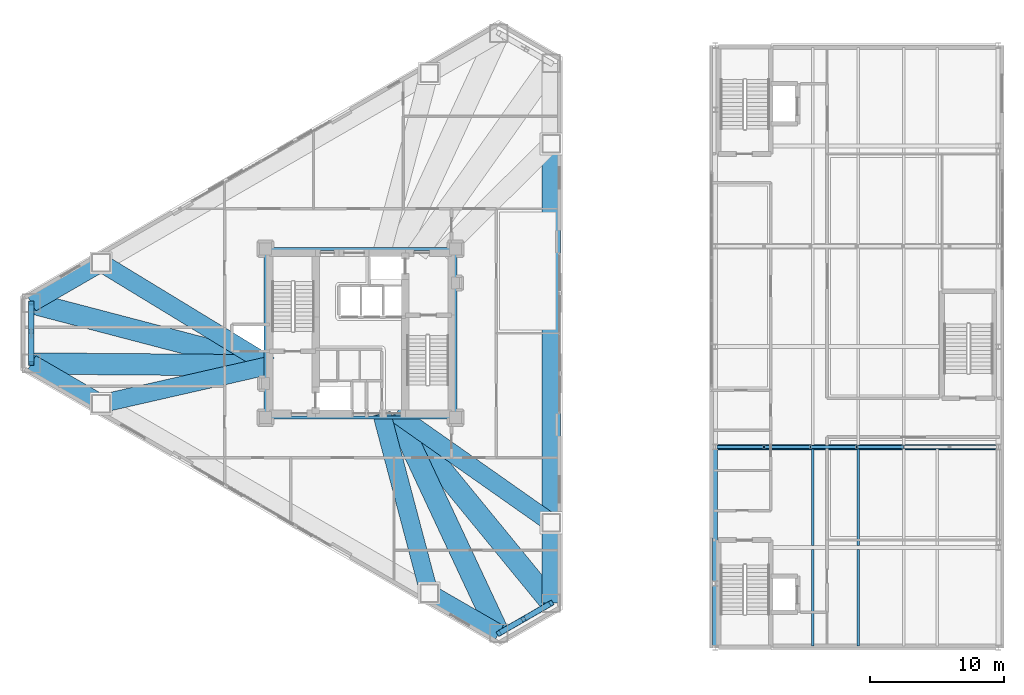
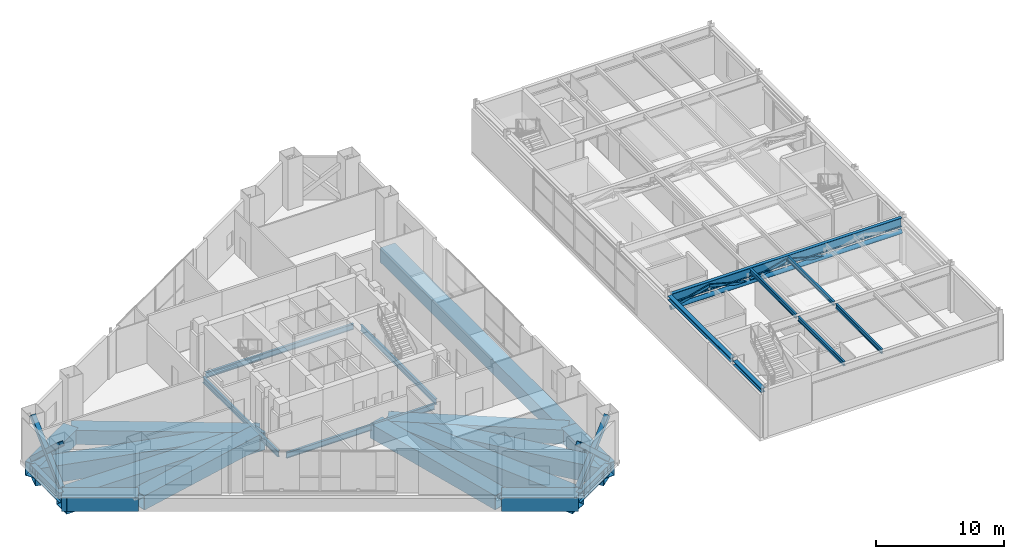
# One storey, part 6 of 29: 26 beams, 11 members.
"""IFC4 building model written with IfcOpenShell, lengths in metres."""

from ifc_helpers import new_model, si_unit, direction, frame, origin, origin_2d, place, context, subcontext, project, spatial, hollow_rectangle, hollow_circle, i_section, extrude, material, material_profile, profile_set, type_object, element, save


model = new_model("IFC4")

# Units and contexts
model_context = context("Model", 3, precision=1e-05, world=origin(), true_north=direction((0.0, 1.0)))
body_context = subcontext(model_context, "Body", "Model", "MODEL_VIEW")
ifc_project = project(units=[si_unit("LENGTHUNIT", "METRE"), si_unit("AREAUNIT", "SQUARE_METRE"), si_unit("VOLUMEUNIT", "CUBIC_METRE"), si_unit("PLANEANGLEUNIT", "RADIAN"), si_unit("MASSUNIT", "GRAM", prefix="KILO")], contexts=[model_context])

# Site, building, storey
site_placement = place(None, origin())
site = spatial("IfcSite", under=ifc_project, at=site_placement, CompositionType="ELEMENT")
building_placement = place(site_placement, origin())
building = spatial("IfcBuilding", under=site, at=building_placement, Name="Mersakhor Tower and Convention Hall", CompositionType="ELEMENT")
storey_placement = place(building_placement, frame((0.0, 0.0, 9.60009765625)))
storey = spatial("IfcBuildingStorey", under=building, at=storey_placement, Name="L02", CompositionType="ELEMENT", Elevation=9.60009765625)

# Beams
ifc_material_1 = material(Name="Steel S355", Category="steel")
ifc_material_profile_1 = material_profile(ifc_material_1, i_section(OverallWidth=0.2099609375, OverallDepth=0.53662109375, WebThickness=0.0107421875, FlangeThickness=0.017333984375, at=origin_2d()), Name="UB 533x210x101")
ifc_profile_set_1 = profile_set([ifc_material_profile_1], Name="Steel S355")
beam_type_1 = type_object("IfcBeamType", Name="BM-FB-533", PredefinedType="BEAM", material=ifc_profile_set_1)
beam_1_placement = place(storey_placement, frame((21.89990234375, 20.8798828125, -0.58837890625), z_axis=(0.0, 1.0, 0.0), x_axis=(-1.0, 0.0, 0.0)))
element("IfcBeam", 1, at=beam_1_placement, inside=storey, type_object=beam_type_1, Name="L02 Core Ring Tie Beam CRB-1", PredefinedType="BEAM", context=body_context, shape_type="SweptSolid", body=[
    extrude(i_section(OverallWidth=0.2099609375, OverallDepth=0.53662109375, WebThickness=0.0107421875, FlangeThickness=0.017333984375, at=origin_2d()), origin(), (0.0, 0.0, 1.0), 11.740234375),
])
beam_2_placement = place(storey_placement, frame((22.330078125, 33.050048828125, -0.58837890625), z_axis=(1.0, 0.0, 0.0), x_axis=(0.0, 1.0, 0.0)))
element("IfcBeam", 2, at=beam_2_placement, inside=storey, type_object=beam_type_1, Name="L02 Core Ring Tie Beam CRB-2", PredefinedType="BEAM", context=body_context, shape_type="SweptSolid", body=[
    extrude(i_section(OverallWidth=0.2099609375, OverallDepth=0.53662109375, WebThickness=0.0107421875, FlangeThickness=0.017333984375, at=origin_2d()), origin(), (0.0, 0.0, 1.0), 13.33984375),
])
beam_3_placement = place(storey_placement, frame((36.10009765625, 32.6201171875, -0.58837890625), z_axis=(0.0, -1.0, 0.0), x_axis=(1.0, 0.0, 0.0)))
element("IfcBeam", 3, at=beam_3_placement, inside=storey, type_object=beam_type_1, Name="L02 Core Ring Tie Beam CRB-3", PredefinedType="BEAM", context=body_context, shape_type="SweptSolid", body=[
    extrude(i_section(OverallWidth=0.2099609375, OverallDepth=0.53662109375, WebThickness=0.0107421875, FlangeThickness=0.017333984375, at=origin_2d()), origin(), (0.0, 0.0, 1.0), 11.740234375),
])
beam_4_placement = place(storey_placement, frame((35.669921875, 20.449951171875, -0.58837890625), z_axis=(-1.0, 0.0, 0.0), x_axis=(0.0, -1.0, 0.0)))
element("IfcBeam", 4, at=beam_4_placement, inside=storey, type_object=beam_type_1, Name="L02 Core Ring Tie Beam CRB-4", PredefinedType="BEAM", context=body_context, shape_type="SweptSolid", body=[
    extrude(i_section(OverallWidth=0.2099609375, OverallDepth=0.53662109375, WebThickness=0.0107421875, FlangeThickness=0.017333984375, at=origin_2d()), origin(), (0.0, 0.0, 1.0), 13.33984375),
])
ifc_material_2 = material(Name="Steel S355", Category="steel")
ifc_material_profile_2 = material_profile(ifc_material_2, i_section(OverallWidth=0.1787109375, OverallDepth=0.409423828125, WebThickness=0.0087890625, FlangeThickness=0.014404296875, at=origin_2d()), Name="UB 406x178x67")
ifc_profile_set_2 = profile_set([ifc_material_profile_2], Name="Steel S355")
beam_type_2 = type_object("IfcBeamType", Name="BM-JST-406", PredefinedType="JOIST", material=ifc_profile_set_2)
for number, where, z_axis, x_axis, name in (
    (5, (62.800048828125, 3.39697265625, 4.275146484375), (0.0, 1.0, 0.0), (-1.0, 0.0, 0.0), "Convention L02 Composite Floor Joist CJ-1-62"),
    (6, (66.199951171875, 3.39697265625, 4.275146484375), (0.0, 1.0, 0.0), (-1.0, 0.0, 0.0), "Convention L02 Composite Floor Joist CJ-1-66"),
    (7, (62.800048828125, 10.89697265625, 4.275146484375), (0.0, 1.0, 0.0), (-1.0, 0.0, 0.0), "Convention L02 Composite Floor Joist CJ-2-62"),
    (8, (66.199951171875, 10.89697265625, 4.275146484375), (0.0, 1.0, 0.0), (-1.0, 0.0, 0.0), "Convention L02 Composite Floor Joist CJ-2-66"),
):
    element("IfcBeam", number, at=place(storey_placement, frame(where, z_axis=z_axis, x_axis=x_axis)), inside=storey, type_object=beam_type_2, Name=name, PredefinedType="JOIST", context=body_context, shape_type="SweptSolid", body=[
        extrude(i_section(OverallWidth=0.1787109375, OverallDepth=0.409423828125, WebThickness=0.0087890625, FlangeThickness=0.014404296875, at=origin_2d()), origin(), (0.0, 0.0, 1.0), 7.2060546875),
    ])
ifc_material_3 = material(Name="Steel S355", Category="steel")
ifc_material_profile_3 = material_profile(ifc_material_3, i_section(OverallWidth=0.293701171875, OverallDepth=0.850830078125, WebThickness=0.01611328125, FlangeThickness=0.02685546875, at=origin_2d()), Name="UB 838x292x226")
ifc_profile_set_3 = profile_set([ifc_material_profile_3], Name="Steel S355")
beam_type_3 = type_object("IfcBeamType", Name="BM-PR-838", PredefinedType="BEAM", material=ifc_profile_set_3)
beam_5_placement = place(storey_placement, frame((55.679931640625, 18.25, 4.054443359375), z_axis=(1.0, 0.0, 0.0), x_axis=(0.0, 1.0, 0.0)))
element("IfcBeam", 9, at=beam_5_placement, inside=storey, type_object=beam_type_3, Name="Convention L02 Clear-Span Girder CG-3", PredefinedType="BEAM", context=body_context, shape_type="SweptSolid", body=[
    extrude(i_section(OverallWidth=0.293701171875, OverallDepth=0.850830078125, WebThickness=0.01611328125, FlangeThickness=0.02685546875, at=origin_2d()), origin(), (0.0, 0.0, 1.0), 20.7900390625),
])
ifc_material_4 = material(Name="Steel S355", Category="steel")
ifc_material_profile_4 = material_profile(ifc_material_4, i_section(OverallWidth=0.374755859375, OverallDepth=0.37451171875, WebThickness=0.0166015625, FlangeThickness=0.027099609375, at=origin_2d()), Name="UC 356x368x202")
ifc_profile_set_4 = profile_set([ifc_material_profile_4], Name="Steel S355")
beam_type_4 = type_object("IfcBeamType", Name="BM-SPD-UC356", PredefinedType="SPANDREL", material=ifc_profile_set_4)
beam_6_placement = place(storey_placement, frame((55.5, 3.429931640625, 4.29296875), z_axis=(0.0, 1.0, 0.0), x_axis=(-1.0, 0.0, 0.0)))
element("IfcBeam", 10, at=beam_6_placement, inside=storey, type_object=beam_type_4, Name="Convention L02 Edge Spandrel W1", PredefinedType="SPANDREL", context=body_context, shape_type="SweptSolid", body=[
    extrude(i_section(OverallWidth=0.374755859375, OverallDepth=0.37451171875, WebThickness=0.0166015625, FlangeThickness=0.027099609375, at=origin_2d()), origin(), (0.0, 0.0, 1.0), 4.440185546875),
])
beam_7_placement = place(storey_placement, frame((55.5, 8.22998046875, 4.29296875), z_axis=(0.0, 1.0, 0.0), x_axis=(-1.0, 0.0, 0.0)))
element("IfcBeam", 11, at=beam_7_placement, inside=storey, type_object=beam_type_4, Name="Convention L02 Edge Spandrel W2", PredefinedType="SPANDREL", context=body_context, shape_type="SweptSolid", body=[
    extrude(i_section(OverallWidth=0.374755859375, OverallDepth=0.37451171875, WebThickness=0.0166015625, FlangeThickness=0.027099609375, at=origin_2d()), origin(), (0.0, 0.0, 1.0), 9.840087890625),
])
ifc_material_5 = material(Name="Steel S460", Category="steel")
ifc_material_profile_5 = material_profile(ifc_material_5, i_section(OverallWidth=0.42041015625, OverallDepth=0.9208984375, WebThickness=0.021484375, FlangeThickness=0.03662109375, at=origin_2d()), Name="UB 914x419x388")
ifc_profile_set_5 = profile_set([ifc_material_profile_5], Name="Steel S460")
beam_type_5 = type_object("IfcBeamType", Name="BM-TR-914H", PredefinedType="BEAM", material=ifc_profile_set_5)
for number, where, z_axis, x_axis, name in (
    (12, (43.25, 6.586669921875, -0.780029296875), (-0.86602002524, -0.500009315796, 0.0), (0.500009315796, -0.86602002524, 0.0), "L02 Chamfer Transfer Girder CH-2"),
    (13, (4.4130859375, 24.49072265625, -0.780029296875), (0.0, 1.0, 0.0), (-1.0, 0.0, 0.0), "L02 Chamfer Transfer Girder CH-3"),
):
    element("IfcBeam", number, at=place(storey_placement, frame(where, z_axis=z_axis, x_axis=x_axis)), inside=storey, type_object=beam_type_5, Name=name, PredefinedType="BEAM", context=body_context, shape_type="SweptSolid", body=[
        extrude(i_section(OverallWidth=0.42041015625, OverallDepth=0.9208984375, WebThickness=0.021484375, FlangeThickness=0.03662109375, at=origin_2d()), origin(), (0.0, 0.0, 1.0), 4.5185546875),
    ])
ifc_material_6 = material(Name="Steel S460", Category="steel")
ifc_material_profile_6 = material_profile(ifc_material_6, hollow_rectangle(XDim=1.35009765625, YDim=1.35009765625, WallThickness=0.035888671875, at=origin_2d()), Name="SHS 1350x1350x36")
ifc_profile_set_6 = profile_set([ifc_material_profile_6], Name="Steel S460")
beam_type_6 = type_object("IfcBeamType", Name="BM-TR-BOX1350", PredefinedType="BEAM", material=ifc_profile_set_6)
beam_8_placement = place(storey_placement, frame((4.4130859375, 29.00927734375, -0.9951171875), z_axis=(0.866019133895, 0.500010859609, 0.0), x_axis=(-0.500010859609, 0.866019133895, 0.0)))
element("IfcBeam", 14, at=beam_8_placement, inside=storey, type_object=beam_type_6, Name="L02 Podium Cantilever Transfer Girder TB-F1-1", PredefinedType="BEAM", context=body_context, shape_type="SweptSolid", body=[
    extrude(hollow_rectangle(XDim=1.35009765625, YDim=1.35009765625, WallThickness=0.035888671875, at=origin_2d()), origin(), (0.0, 0.0, 1.0), 6.008544921875),
])
beam_9_placement = place(storey_placement, frame((22.199951171875, 24.35009765625, -0.9951171875), z_axis=(-0.854071815616, 0.520155105493, 0.0), x_axis=(-0.520155105493, -0.854071815616, 0.0)))
element("IfcBeam", 15, at=beam_9_placement, inside=storey, type_object=beam_type_6, Name="L02 Core-to-Perimeter Transfer Girder CTR-F1-N1", PredefinedType="BEAM", context=body_context, shape_type="SweptSolid", body=[
    extrude(hollow_rectangle(XDim=1.35009765625, YDim=1.35009765625, WallThickness=0.035888671875, at=origin_2d()), origin(), (0.0, 0.0, 1.0), 14.733154296875),
])
beam_10_placement = place(storey_placement, frame((43.25, 40.904541015625, -0.9951171875), z_axis=(0.0, -1.0, 0.0), x_axis=(1.0, 0.0, 0.0)))
element("IfcBeam", 16, at=beam_10_placement, inside=storey, type_object=beam_type_6, Name="L02 Podium Back-Span Transfer Box Girder TB-F2-2", PredefinedType="BEAM", context=body_context, shape_type="SweptSolid", body=[
    extrude(hollow_rectangle(XDim=1.35009765625, YDim=1.35009765625, WallThickness=0.035888671875, at=origin_2d()), origin(), (0.0, 0.0, 1.0), 28.30908203125),
])
beam_11_placement = place(storey_placement, frame((43.25, 12.595458984375, -0.9951171875), z_axis=(0.0, -1.0, 0.0), x_axis=(1.0, 0.0, 0.0)))
element("IfcBeam", 17, at=beam_11_placement, inside=storey, type_object=beam_type_6, Name="L02 Podium Cantilever Transfer Girder TB-F2-3", PredefinedType="BEAM", context=body_context, shape_type="SweptSolid", body=[
    extrude(hollow_rectangle(XDim=1.35009765625, YDim=1.35009765625, WallThickness=0.035888671875, at=origin_2d()), origin(), (0.0, 0.0, 1.0), 6.0087890625),
])
beam_12_placement = place(storey_placement, frame((31.64990234375, 20.75, -0.9951171875), z_axis=(0.818088140846, -0.575092856682, 0.0), x_axis=(0.575092856682, 0.818088140846, 0.0)))
element("IfcBeam", 18, at=beam_12_placement, inside=storey, type_object=beam_type_6, Name="L02 Core-to-Perimeter Transfer Girder CTR-F2-N2", PredefinedType="BEAM", context=body_context, shape_type="SweptSolid", body=[
    extrude(hollow_rectangle(XDim=1.35009765625, YDim=1.35009765625, WallThickness=0.035888671875, at=origin_2d()), origin(), (0.0, 0.0, 1.0), 14.179443359375),
])
for number, where, z_axis, x_axis, name in (
    (19, (39.3369140625, 4.327392578125, -0.9951171875), (-0.866019133895, 0.500010859609, 0.0), (-0.500010859609, -0.866019133895, 0.0), "L02 Podium Cantilever Transfer Girder TB-F3-1"),
    (20, (9.61669921875, 21.486328125, -0.9951171875), (-0.866019133895, 0.500010859609, 0.0), (-0.500010859609, -0.866019133895, 0.0), "L02 Podium Cantilever Transfer Girder TB-F3-3"),
):
    element("IfcBeam", number, at=place(storey_placement, frame(where, z_axis=z_axis, x_axis=x_axis)), inside=storey, type_object=beam_type_6, Name=name, PredefinedType="BEAM", context=body_context, shape_type="SweptSolid", body=[
        extrude(hollow_rectangle(XDim=1.35009765625, YDim=1.35009765625, WallThickness=0.035888671875, at=origin_2d()), origin(), (0.0, 0.0, 1.0), 6.008544921875),
    ])
beam_13_placement = place(storey_placement, frame((30.586181640625, 20.75, -0.9951171875), z_axis=(0.255571992926, -0.966790027065, 0.0), x_axis=(0.966790027065, 0.255571992926, 0.0)))
element("IfcBeam", 21, at=beam_13_placement, inside=storey, type_object=beam_type_6, Name="L02 Core-to-Perimeter Transfer Girder CTR-F3-N1", PredefinedType="BEAM", context=body_context, shape_type="SweptSolid", body=[
    extrude(hollow_rectangle(XDim=1.35009765625, YDim=1.35009765625, WallThickness=0.035888671875, at=origin_2d()), origin(), (0.0, 0.0, 1.0), 13.879150390625),
])
beam_14_placement = place(storey_placement, frame((22.199951171875, 24.35009765625, -0.9951171875), z_axis=(-0.975066840211, -0.221911372222, 0.0), x_axis=(0.221911372222, -0.975066840211, 0.0)))
element("IfcBeam", 22, at=beam_14_placement, inside=storey, type_object=beam_type_6, Name="L02 Core-to-Perimeter Transfer Girder CTR-F3-N2", PredefinedType="BEAM", context=body_context, shape_type="SweptSolid", body=[
    extrude(hollow_rectangle(XDim=1.35009765625, YDim=1.35009765625, WallThickness=0.035888671875, at=origin_2d()), origin(), (0.0, 0.0, 1.0), 12.905029296875),
])
ifc_material_7 = material(Name="Steel S460", Category="steel")
ifc_material_profile_7 = material_profile(ifc_material_7, hollow_rectangle(XDim=1.60009765625, YDim=1.60009765625, WallThickness=0.0400390625, at=origin_2d()), Name="SHS 1600x1600x40")
ifc_profile_set_7 = profile_set([ifc_material_profile_7], Name="Steel S460")
beam_type_7 = type_object("IfcBeamType", Name="BM-TR-BOX1600", PredefinedType="BEAM", material=ifc_profile_set_7)
beam_15_placement = place(storey_placement, frame((22.199951171875, 24.35009765625, -1.1201171875), z_axis=(-0.96736269218, 0.253395780901, 0.0), x_axis=(-0.253395780901, -0.96736269218, 0.0)))
element("IfcBeam", 23, at=beam_15_placement, inside=storey, type_object=beam_type_7, Name="L02 Core-to-Perimeter Transfer Girder CTR-F1-N0", PredefinedType="BEAM", context=body_context, shape_type="SweptSolid", body=[
    extrude(hollow_rectangle(XDim=1.60009765625, YDim=1.60009765625, WallThickness=0.0400390625, at=origin_2d()), origin(), (0.0, 0.0, 1.0), 18.386962890625),
])
beam_16_placement = place(storey_placement, frame((31.64990234375, 20.75, -1.1201171875), z_axis=(0.633627677135, -0.773638136837, 0.0), x_axis=(0.773638136837, 0.633627677135, 0.0)))
element("IfcBeam", 24, at=beam_16_placement, inside=storey, type_object=beam_type_7, Name="L02 Core-to-Perimeter Transfer Girder CTR-F2-N3", PredefinedType="BEAM", context=body_context, shape_type="SweptSolid", body=[
    extrude(hollow_rectangle(XDim=1.60009765625, YDim=1.60009765625, WallThickness=0.0400390625, at=origin_2d()), origin(), (0.0, 0.0, 1.0), 18.307373046875),
])
beam_17_placement = place(storey_placement, frame((31.64990234375, 20.75, -1.1201171875), z_axis=(0.423932586502, -0.905693746308, 0.0), x_axis=(0.905693746308, 0.423932586502, 0.0)))
element("IfcBeam", 25, at=beam_17_placement, inside=storey, type_object=beam_type_7, Name="L02 Core-to-Perimeter Transfer Girder CTR-F3-N0", PredefinedType="BEAM", context=body_context, shape_type="SweptSolid", body=[
    extrude(hollow_rectangle(XDim=1.60009765625, YDim=1.60009765625, WallThickness=0.0400390625, at=origin_2d()), origin(), (0.0, 0.0, 1.0), 18.132568359375),
])
beam_18_placement = place(storey_placement, frame((22.199951171875, 24.35009765625, -1.1201171875), z_axis=(-0.999968748139, 0.007905867805, 0.0), x_axis=(-0.007905867805, -0.999968748139, 0.0)))
element("IfcBeam", 26, at=beam_18_placement, inside=storey, type_object=beam_type_7, Name="L02 Core-to-Perimeter Transfer Girder CTR-F3-N3", PredefinedType="BEAM", context=body_context, shape_type="SweptSolid", body=[
    extrude(hollow_rectangle(XDim=1.60009765625, YDim=1.60009765625, WallThickness=0.0400390625, at=origin_2d()), origin(), (0.0, 0.0, 1.0), 17.787353515625),
])

# Members
ifc_material_8 = material(Name="Steel S355", Category="steel")
ifc_material_profile_8 = material_profile(ifc_material_8, hollow_rectangle(XDim=0.25, YDim=0.25, WallThickness=0.01611328125, at=origin_2d()), Name="SHS 250x250x16")
ifc_profile_set_8 = profile_set([ifc_material_profile_8], Name="Steel S355")
member_type_1 = type_object("IfcMemberType", Name="MB-BRC-SHS250", PredefinedType="BRACE", material=ifc_profile_set_8)
for number, where, z_axis, x_axis, name in (
    (27, (55.679931640625, 18.25, 3.1298828125), (0.966197643238, 0.0, 0.257802471285), (0.0, 1.0, 0.0), "Convention L02 Truss Web Diagonal TD-3-1"),
    (28, (59.14501953125, 18.25, 4.054443359375), (0.966197643238, 0.0, -0.257802471285), (0.0, 1.0, 0.0), "Convention L02 Truss Web Diagonal TD-3-2"),
):
    element("IfcMember", number, at=place(storey_placement, frame(where, z_axis=z_axis, x_axis=x_axis)), inside=storey, type_object=member_type_1, Name=name, PredefinedType="BRACE", context=body_context, shape_type="SweptSolid", body=[
        extrude(hollow_rectangle(XDim=0.25, YDim=0.25, WallThickness=0.01611328125, at=origin_2d()), origin(), (0.0, 0.0, 1.0), 3.58642578125),
    ])
member_1_placement = place(storey_placement, frame((62.610107421875, 18.25, 3.1298828125), z_axis=(0.966193118341, 0.0, 0.257819429196), x_axis=(0.0, 1.0, 0.0)))
element("IfcMember", 29, at=member_1_placement, inside=storey, type_object=member_type_1, Name="Convention L02 Truss Web Diagonal TD-3-3", PredefinedType="BRACE", context=body_context, shape_type="SweptSolid", body=[
    extrude(hollow_rectangle(XDim=0.25, YDim=0.25, WallThickness=0.01611328125, at=origin_2d()), origin(), (0.0, 0.0, 1.0), 3.586181640625),
])
member_2_placement = place(storey_placement, frame((66.074951171875, 18.25, 4.054443359375), z_axis=(0.966197643238, 0.0, -0.257802471285), x_axis=(0.0, 1.0, 0.0)))
element("IfcMember", 30, at=member_2_placement, inside=storey, type_object=member_type_1, Name="Convention L02 Truss Web Diagonal TD-3-4", PredefinedType="BRACE", context=body_context, shape_type="SweptSolid", body=[
    extrude(hollow_rectangle(XDim=0.25, YDim=0.25, WallThickness=0.01611328125, at=origin_2d()), origin(), (0.0, 0.0, 1.0), 3.58642578125),
])
ifc_material_9 = material(Name="Steel S460", Category="steel")
ifc_material_profile_9 = material_profile(ifc_material_9, hollow_rectangle(XDim=0.39990234375, YDim=0.39990234375, WallThickness=0.02490234375, at=origin_2d()), Name="SHS 400x400x25")
ifc_profile_set_9 = profile_set([ifc_material_profile_9], Name="Steel S460")
member_type_2 = type_object("IfcMemberType", Name="MB-BRC-SHS400", PredefinedType="BRACE", material=ifc_profile_set_9)
member_3_placement = place(storey_placement, frame((43.25, 6.586669921875, 0.14990234375), z_axis=(-0.635720518474, -0.367042530444, 0.679072310756), x_axis=(0.500009315796, -0.86602002524, 0.0)))
element("IfcMember", 31, at=member_3_placement, inside=storey, type_object=member_type_2, Name="L02 Chamfer Braced Frame Diagonal CB-2A", PredefinedType="BRACE", context=body_context, shape_type="SweptSolid", body=[
    extrude(hollow_rectangle(XDim=0.39990234375, YDim=0.39990234375, WallThickness=0.02490234375, at=origin_2d()), origin(), (0.0, 0.0, 1.0), 6.1552734375),
])
for number, where, z_axis, x_axis, name in (
    (32, (39.3369140625, 4.327392578125, 0.14990234375), (0.635727717529, 0.367089997781, 0.679039912446), (-0.500053563446, 0.865994476706, 0.0), "L02 Chamfer Braced Frame Diagonal CB-2B Lower Half"),
    (33, (41.426025390625, 5.53369140625, 2.381591796875), (0.635747574185, 0.367016368286, 0.679061121938), (-0.499966626499, 0.866044671127, 0.0), "L02 Chamfer Braced Frame Diagonal CB-2B Upper Half"),
):
    element("IfcMember", number, at=place(storey_placement, frame(where, z_axis=z_axis, x_axis=x_axis)), inside=storey, type_object=member_type_2, Name=name, PredefinedType="BRACE", context=body_context, shape_type="SweptSolid", body=[
        extrude(hollow_rectangle(XDim=0.39990234375, YDim=0.39990234375, WallThickness=0.02490234375, at=origin_2d()), origin(), (0.0, 0.0, 1.0), 2.869140625),
    ])
member_4_placement = place(storey_placement, frame((4.4130859375, 24.49072265625, 0.14990234375), z_axis=(0.0, 0.734077690839, 0.679065493022), x_axis=(-1.0, 0.0, 0.0)))
element("IfcMember", 34, at=member_4_placement, inside=storey, type_object=member_type_2, Name="L02 Chamfer Braced Frame Diagonal CB-3A", PredefinedType="BRACE", context=body_context, shape_type="SweptSolid", body=[
    extrude(hollow_rectangle(XDim=0.39990234375, YDim=0.39990234375, WallThickness=0.02490234375, at=origin_2d()), origin(), (0.0, 0.0, 1.0), 6.155517578125),
])
for number, where, z_axis, x_axis, name in (
    (35, (4.4130859375, 29.00927734375, 0.14990234375), (0.0, -0.734098379146, 0.679043128038), (1.0, 0.0, 0.0), "L02 Chamfer Braced Frame Diagonal CB-3B Lower Half"),
    (36, (4.4130859375, 26.596923828125, 2.381591796875), (0.0, -0.734098379146, 0.679043128038), (1.0, 0.0, 0.0), "L02 Chamfer Braced Frame Diagonal CB-3B Upper Half"),
):
    element("IfcMember", number, at=place(storey_placement, frame(where, z_axis=z_axis, x_axis=x_axis)), inside=storey, type_object=member_type_2, Name=name, PredefinedType="BRACE", context=body_context, shape_type="SweptSolid", body=[
        extrude(hollow_rectangle(XDim=0.39990234375, YDim=0.39990234375, WallThickness=0.02490234375, at=origin_2d()), origin(), (0.0, 0.0, 1.0), 2.869140625),
    ])
ifc_material_10 = material(Name="Steel S355", Category="steel")
ifc_material_profile_10 = material_profile(ifc_material_10, hollow_circle(Radius=0.203125, WallThickness=0.02490234375, at=origin_2d()), Name="CHS 406.4x25")
ifc_profile_set_10 = profile_set([ifc_material_profile_10], Name="Steel S355")
member_type_3 = type_object("IfcMemberType", Name="MB-CHD-CHS406", PredefinedType="CHORD", material=ifc_profile_set_10)
member_5_placement = place(storey_placement, frame((55.679931640625, 18.25, 3.1298828125), z_axis=(1.0, 0.0, 0.0), x_axis=(0.0, 1.0, 0.0)))
element("IfcMember", 37, at=member_5_placement, inside=storey, type_object=member_type_3, Name="Convention L02 Long-Span Truss Bottom Chord TC-3", PredefinedType="CHORD", context=body_context, shape_type="SweptSolid", body=[
    extrude(hollow_circle(Radius=0.203125, WallThickness=0.02490234375, at=origin_2d()), origin(), (0.0, 0.0, 1.0), 20.7900390625),
])

save(model, "model.ifc")
